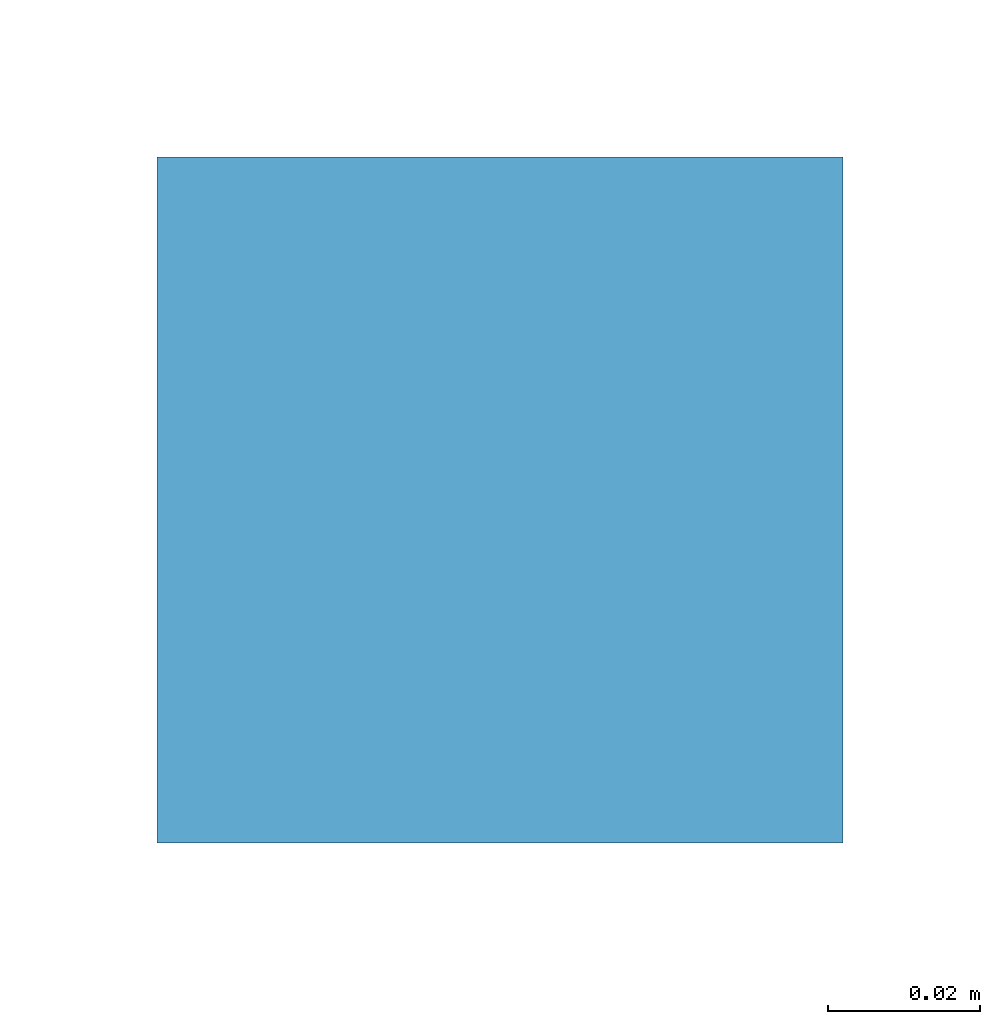
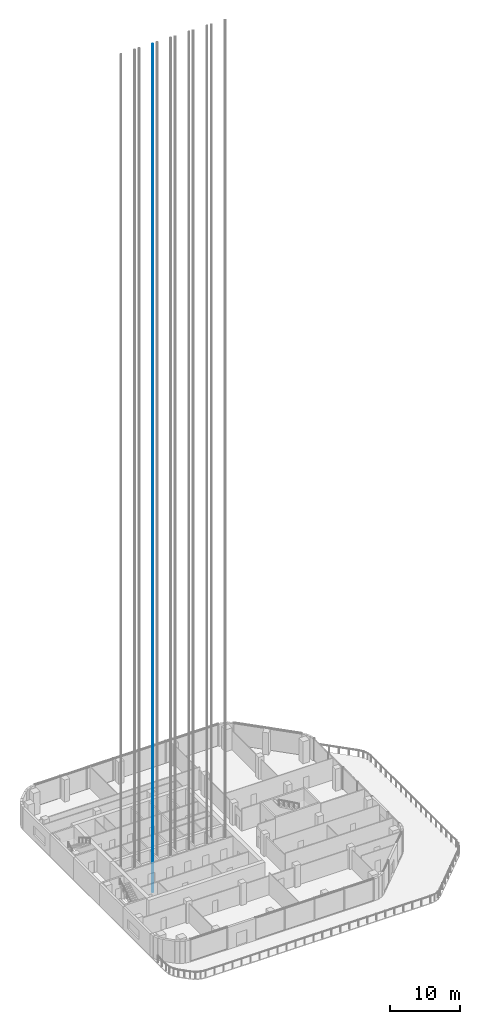
# One storey, part 8 of 29: 1 member.
"""IFC4 building model written with IfcOpenShell, lengths in metres."""

import ifcopenshell
import ifcopenshell.guid

model = None  # the IFC model being written
_history = None  # IfcOwnerHistory: only IFC2X3 demands one
_inside = {}  # id of a spatial element -> (the spatial element, [elements in it])
_under = {}  # id of a project, library or spatial element -> (it, [spatial elements below it])
_declared = {}  # id of a project -> (the project, [libraries it declares])
_typed = {}  # id of a type object -> (the type object, [elements of that type])
_made_of = {}  # id of a material, layer set ... -> (it, [elements and type objects made of it])


def new_model(schema):
    """Start an empty IFC model of exactly this schema.

    Asked for "IFC4X3", IfcOpenShell would pick the latest addendum, in which some entities
    have other attributes; the version numbers below select the first issue.
    IFC2X3 requires an IfcOwnerHistory on every rooted entity: one is made here for all.
    """
    global model, _history
    if schema == "IFC4X3":
        model = ifcopenshell.file(schema_version=(4, 3, 0, 0))
    else:
        model = ifcopenshell.file(schema=schema)
    _inside.clear()
    _under.clear()
    _declared.clear()
    _typed.clear()
    _made_of.clear()
    _history = None
    if model.schema == "IFC2X3":
        org = make("IfcOrganization", Name="unknown")
        user = make(
            "IfcPersonAndOrganization",
            ThePerson=make("IfcPerson", FamilyName="unknown"),
            TheOrganization=org,
        )
        app = make(
            "IfcApplication",
            ApplicationDeveloper=org,
            Version="unknown",
            ApplicationFullName="unknown",
            ApplicationIdentifier="unknown",
        )
        _history = make(
            "IfcOwnerHistory",
            OwningUser=user,
            OwningApplication=app,
            ChangeAction="ADDED",
            CreationDate=0,
        )
    return model


def make(cls, **values):
    """One entity of the class cls with the attributes given. An attribute that is None is left unset."""
    return model.create_entity(
        cls, **{name: value for name, value in values.items() if value is not None}
    )


def rooted(cls, **values):
    """An entity with a GlobalId (a new one), such as an element, a storey or a relation."""
    return make(cls, GlobalId=ifcopenshell.guid.new(), OwnerHistory=_history, **values)


def si_unit(unit_type, name, prefix=None):
    """IfcSIUnit, for example si_unit("LENGTHUNIT", "METRE", prefix="MILLI")."""
    return make("IfcSIUnit", UnitType=unit_type, Prefix=prefix, Name=name)


def assignment(units):
    """IfcUnitAssignment: the units of a project."""
    return None if units is None else make("IfcUnitAssignment", Units=units)


def point(xyz):
    """IfcCartesianPoint."""
    return None if xyz is None else make("IfcCartesianPoint", Coordinates=xyz)


def direction(xyz):
    """IfcDirection."""
    return None if xyz is None else make("IfcDirection", DirectionRatios=xyz)


def frame(location, z_axis=None, x_axis=None):
    """IfcAxis2Placement3D, a coordinate frame: its origin and axes. An axis left out is left unset."""
    return make(
        "IfcAxis2Placement3D",
        Location=point(location),
        Axis=direction(z_axis),
        RefDirection=direction(x_axis),
    )


def frame_2d(location, x_axis=None):
    """IfcAxis2Placement2D, a coordinate frame in the plane: its origin and x axis."""
    return make(
        "IfcAxis2Placement2D", Location=point(location), RefDirection=direction(x_axis)
    )


def origin():
    """The frame at (0, 0, 0) with its axes left unset."""
    return frame((0.0, 0.0, 0.0))


def origin_2d():
    """The frame at (0, 0) in the plane with its x axis left unset."""
    return frame_2d((0.0, 0.0))


def place(relative_to, where):
    """IfcLocalPlacement: puts the frame where relative to a parent placement (None: the world)."""
    return make(
        "IfcLocalPlacement", PlacementRelTo=relative_to, RelativePlacement=where
    )


def context(
    kind, dimensions, precision=None, world=None, true_north=None, identifier=None
):
    """IfcGeometricRepresentationContext, for example the 3D "Model" context."""
    return make(
        "IfcGeometricRepresentationContext",
        ContextIdentifier=identifier,
        ContextType=kind,
        CoordinateSpaceDimension=dimensions,
        Precision=precision,
        WorldCoordinateSystem=world,
        TrueNorth=true_north,
    )


def subcontext(parent, identifier, kind, view, scale=None):
    """IfcGeometricRepresentationSubContext, for example "Body" below "Model"."""
    return make(
        "IfcGeometricRepresentationSubContext",
        ContextIdentifier=identifier,
        ContextType=kind,
        ParentContext=parent,
        TargetScale=scale,
        TargetView=view,
    )


def project(units=None, contexts=None):
    """IfcProject with its units and contexts."""
    return rooted(
        "IfcProject",
        Name="project",
        RepresentationContexts=contexts,
        UnitsInContext=assignment(units),
    )


def spatial(cls, under=None, at=None, **own):
    """A site, building, storey or space (cls), placed at a placement, below another one or the project."""
    s = rooted(cls, ObjectPlacement=at, **own)
    if under is not None:
        _under.setdefault(under.id(), (under, []))[1].append(s)
    return s


def profile(cls, at=None, kind="AREA", **sizes):
    """A parametric profile (cls). Its sizes go by their IFC names, for example OverallWidth=200.0."""
    return make(cls, ProfileType=kind, Position=at, **sizes)


def rectangle(**sizes):
    """IfcRectangleProfileDef."""
    return profile("IfcRectangleProfileDef", **sizes)


def extrude(swept, where, along, depth):
    """IfcExtrudedAreaSolid: the profile swept, set in the frame where, extruded along a direction by depth."""
    return make(
        "IfcExtrudedAreaSolid",
        SweptArea=swept,
        Position=where,
        ExtrudedDirection=direction(along),
        Depth=depth,
    )


def shape(context_of_items, identifier, shape_type, items):
    """IfcShapeRepresentation: the items that make up one representation, for example the "Body"."""
    return make(
        "IfcShapeRepresentation",
        ContextOfItems=context_of_items,
        RepresentationIdentifier=identifier,
        RepresentationType=shape_type,
        Items=items,
    )


def material(Name=None, Category=None):
    """IfcMaterial."""
    return make("IfcMaterial", Name=Name, Category=Category)


def material_profile(
    of_material, cross_section, Name=None, Category=None, Priority=None
):
    """IfcMaterialProfile: a cross section and its material."""
    return make(
        "IfcMaterialProfile",
        Name=Name,
        Material=of_material,
        Profile=cross_section,
        Priority=Priority,
        Category=Category,
    )


def profile_set(profiles, Name=None, composite=None):
    """IfcMaterialProfileSet."""
    return make(
        "IfcMaterialProfileSet",
        Name=Name,
        MaterialProfiles=profiles,
        CompositeProfile=composite,
    )


def made_of(thing, what):
    """Note that an element or type object is made of a material, layer set ...; save() writes the relation."""
    if what is not None:
        _made_of.setdefault(what.id(), (what, []))[1].append(thing)
    return thing


def type_object(cls, material=None, **own):
    """A type object (cls), such as IfcWallType, which elements share."""
    return made_of(rooted(cls, **own), material)


def element(
    cls,
    number,
    at=None,
    inside=None,
    cuts=None,
    type_object=None,
    material=None,
    context=None,
    identifier="Body",
    shape_type=None,
    held_by="IfcProductDefinitionShape",
    body=None,
    shapes=None,
    **own,
):
    """One element of the class cls, such as IfcWall. Its Tag is "e" and its number.

    at: its placement. inside: the storey or other place that contains it. cuts: it is an
    opening in that element (IfcRelVoidsElement). A single representation is given by context,
    identifier, shape_type and body (its items); several are given by shapes. held_by: the class
    of the entity that holds the representations. save() writes the other relations.
    """
    e = rooted(cls, Tag="e%d" % number, ObjectPlacement=at, **own)
    if body is not None:
        shapes = [shape(context, identifier, shape_type, body)]
    if shapes is not None:
        e.Representation = make(held_by, Representations=shapes)
    if inside is not None:
        _inside.setdefault(inside.id(), (inside, []))[1].append(e)
    if cuts is not None:
        rooted(
            "IfcRelVoidsElement", RelatingBuildingElement=cuts, RelatedOpeningElement=e
        )
    if type_object is not None:
        _typed.setdefault(type_object.id(), (type_object, []))[1].append(e)
    return made_of(e, material)


def aggregate(whole, parts):
    """IfcRelAggregates: a whole, such as a stair, and the parts it consists of."""
    return rooted("IfcRelAggregates", RelatingObject=whole, RelatedObjects=parts)


def save(model, path):
    """Write the relations noted so far, then the file.

    IfcRelAggregates (storeys below a building ...), IfcRelContainedInSpatialStructure (elements
    in a storey), IfcRelDefinesByType, IfcRelAssociatesMaterial and IfcRelDeclares: one each for
    every whole, place, type object, material and project.
    """
    for whole, parts in _under.values():
        aggregate(whole, parts)
    for where, things in _inside.values():
        rooted(
            "IfcRelContainedInSpatialStructure",
            RelatedElements=things,
            RelatingStructure=where,
        )
    for kind, things in _typed.values():
        rooted("IfcRelDefinesByType", RelatedObjects=things, RelatingType=kind)
    for what, things in _made_of.values():
        rooted("IfcRelAssociatesMaterial", RelatedObjects=things, RelatingMaterial=what)
    for by, libraries in _declared.values():
        rooted("IfcRelDeclares", RelatingContext=by, RelatedDefinitions=libraries)
    model.write(path)


model = new_model("IFC4")

# Units and contexts
model_context = context("Model", 3, precision=1e-05, world=origin(), true_north=direction((0.0, 1.0)))
body_context = subcontext(model_context, "Body", "Model", "MODEL_VIEW")
ifc_project = project(units=[si_unit("LENGTHUNIT", "METRE"), si_unit("AREAUNIT", "SQUARE_METRE"), si_unit("VOLUMEUNIT", "CUBIC_METRE"), si_unit("PLANEANGLEUNIT", "RADIAN"), si_unit("MASSUNIT", "GRAM", prefix="KILO")], contexts=[model_context])

# Site, building, storey
site_placement = place(None, origin())
site = spatial("IfcSite", under=ifc_project, at=site_placement, CompositionType="ELEMENT")
building_placement = place(site_placement, origin())
building = spatial("IfcBuilding", under=site, at=building_placement, Name="Cinnabar Reach Civic Tower", CompositionType="ELEMENT")
storey_placement = place(building_placement, frame((0.0, 0.0, 149.0)))
storey = spatial("IfcBuildingStorey", under=building, at=storey_placement, Name="L35", CompositionType="ELEMENT", Elevation=149.0)

# Member
ifc_material = material(Name="Steel Q355B", Category="steel")
ifc_material_profile = material_profile(ifc_material, rectangle(XDim=0.09, YDim=0.09, at=origin_2d()), Name="T1 lift guide rail")
ifc_profile_set = profile_set([ifc_material_profile], Name="Steel Q355B")
member_type = type_object("IfcMemberType", Name="T1 lift guide rail", PredefinedType="USERDEFINED", material=ifc_profile_set)
member_placement = place(storey_placement, frame((10.13, 30.0, -2.5), z_axis=(0.0, 0.0, 1.0), x_axis=(1.0, 0.0, 0.0)))
element("IfcMember", 1, at=member_placement, inside=storey, type_object=member_type, Name="T1-HR2 guide rail 2", ObjectType="GUIDE RAIL", PredefinedType="USERDEFINED", context=body_context, shape_type="SweptSolid", body=[
    extrude(rectangle(XDim=0.09, YDim=0.09, at=origin_2d()), origin(), (0.0, 0.0, 1.0), 148.5),
])

save(model, "model.ifc")
